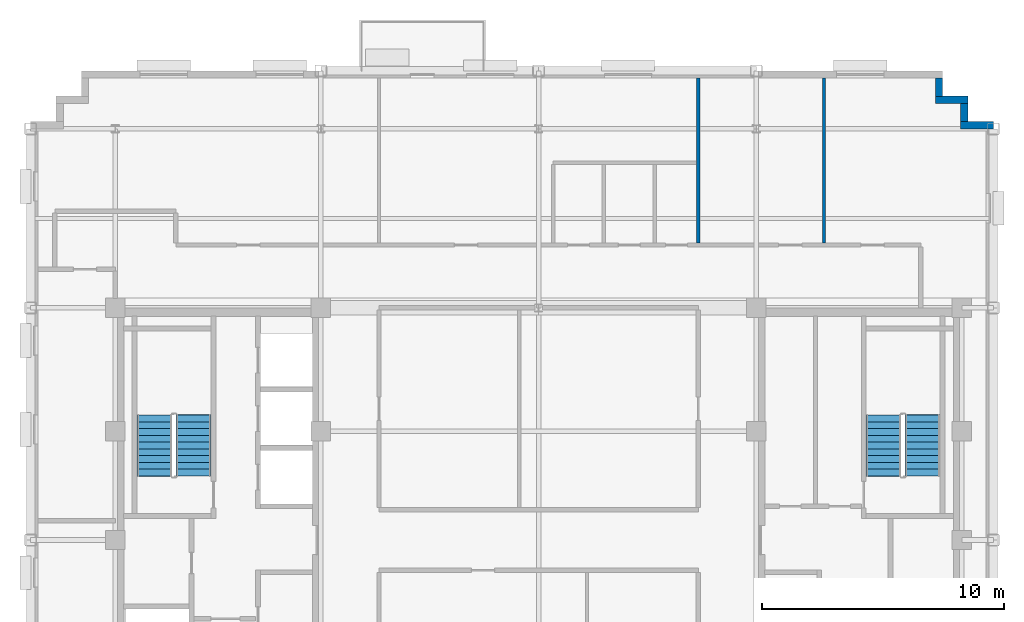
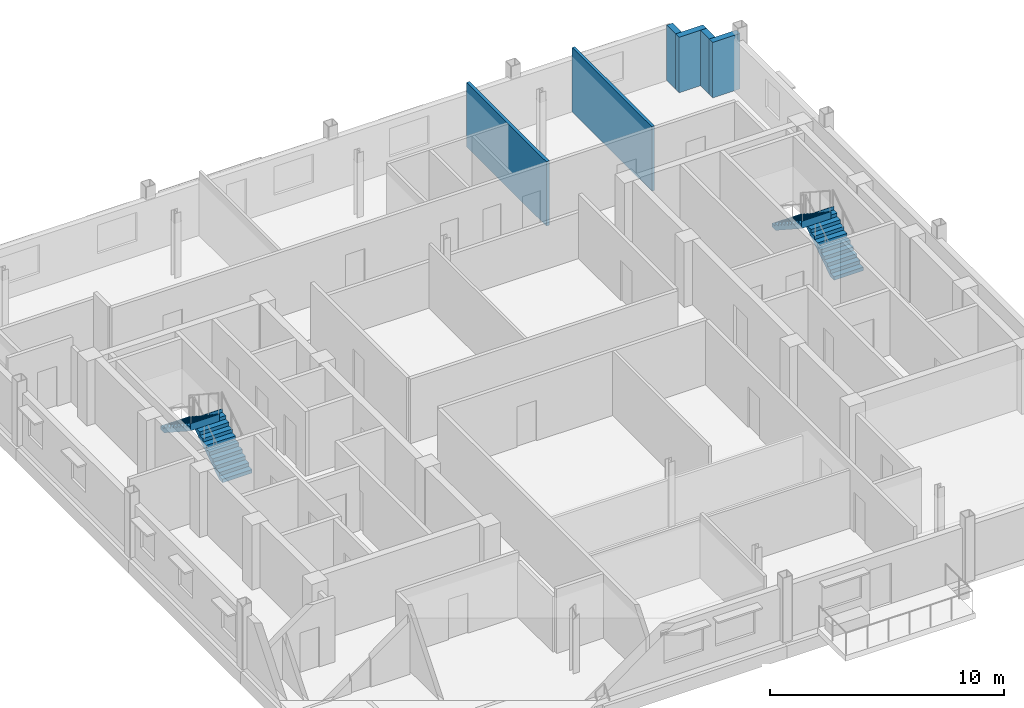
# One storey, part 9 of 13: 6 walls, 4 stair flights, 2 elements without a shape of their own.
"""IFC4 building model written with IfcOpenShell, lengths in metres."""

from ifc_helpers import new_model, si_unit, direction, frame, frame_2d, origin, place, context, subcontext, project, spatial, polyline, rectangle, outline, extrude, material, layer, layer_set, type_object, element, aggregate, save


model = new_model("IFC4")

# Units and contexts
model_context = context("Model", 3, precision=1e-05, world=origin(), true_north=direction((0.0, 1.0)))
body_context = subcontext(model_context, "Body", "Model", "MODEL_VIEW")
ifc_project = project(units=[si_unit("LENGTHUNIT", "METRE"), si_unit("AREAUNIT", "SQUARE_METRE"), si_unit("VOLUMEUNIT", "CUBIC_METRE"), si_unit("PLANEANGLEUNIT", "RADIAN"), si_unit("MASSUNIT", "GRAM", prefix="KILO")], contexts=[model_context])

# Site, building, storey
site_placement = place(None, origin())
site = spatial("IfcSite", under=ifc_project, at=site_placement, CompositionType="ELEMENT")
building_placement = place(site_placement, origin())
building = spatial("IfcBuilding", under=site, at=building_placement, Name="Nuvemarco Arch Tower", CompositionType="ELEMENT")
storey_placement = place(building_placement, frame((0.0, 0.0, 279.85009765625)))
storey = spatial("IfcBuildingStorey", under=building, at=storey_placement, Name="L74", CompositionType="ELEMENT", Elevation=279.85009765625)

# Walls
ifc_material_1 = material(Name="Precast concrete C45/55", Category="concrete")
ifc_layer_1 = layer(ifc_material_1, 0.300048828125, Name="EW-HIGH-300")
ifc_layer_set_1 = layer_set([ifc_layer_1], Name="Precast concrete C45/55")
wall_type_1 = type_object("IfcWallType", Name="EW-HIGH-300", PredefinedType="STANDARD", material=ifc_layer_set_1)
wall_1_placement = place(storey_placement, frame((17.449951171875, 17.14990234375, 0.0), z_axis=(0.0, 0.0, 1.0), x_axis=(1.0, 0.0, 0.0)))
element("IfcWall", 1, at=wall_1_placement, inside=storey, type_object=wall_type_1, Name="L74 exterior precast facade wall 7", PredefinedType="STANDARD", context=body_context, shape_type="SweptSolid", body=[
    extrude(rectangle(XDim=1.35009765625, YDim=0.300048828125, at=frame_2d((0.675048828125, 0.0))), origin(), (0.0, 0.0, 1.0), 2.891845703125),
])
wall_2_placement = place(storey_placement, frame((17.60009765625, 17.2958984375, 0.0), z_axis=(0.0, 0.0, 1.0), x_axis=(0.0, 1.0, 0.0)))
element("IfcWall", 2, at=wall_2_placement, inside=storey, type_object=wall_type_1, Name="L74 exterior precast facade wall 8", PredefinedType="STANDARD", context=body_context, shape_type="SweptSolid", body=[
    extrude(rectangle(XDim=0.758056640625, YDim=0.300048828125, at=frame_2d((0.37890625, 0.0))), origin(), (0.0, 0.0, 1.0), 2.891845703125),
])
wall_3_placement = place(storey_placement, frame((16.39990234375, 18.199951171875, 0.0), z_axis=(0.0, 0.0, 1.0), x_axis=(1.0, 0.0, 0.0)))
element("IfcWall", 3, at=wall_3_placement, inside=storey, type_object=wall_type_1, Name="L74 exterior precast facade wall 9", PredefinedType="STANDARD", context=body_context, shape_type="SweptSolid", body=[
    extrude(rectangle(XDim=1.35009765625, YDim=0.300048828125, at=frame_2d((0.675048828125, 0.0))), origin(), (0.0, 0.0, 1.0), 2.891845703125),
])
wall_4_placement = place(storey_placement, frame((16.550048828125, 18.345947265625, 0.0), z_axis=(0.0, 0.0, 1.0), x_axis=(0.0, 1.0, 0.0)))
element("IfcWall", 4, at=wall_4_placement, inside=storey, type_object=wall_type_1, Name="L74 exterior precast facade wall 10", PredefinedType="STANDARD", context=body_context, shape_type="SweptSolid", body=[
    extrude(rectangle(XDim=0.758056640625, YDim=0.300048828125, at=frame_2d((0.37890625, 0.0))), origin(), (0.0, 0.0, 1.0), 2.891845703125),
])
ifc_material_2 = material(Name="Gypsum plasterboard partition")
ifc_layer_2 = layer(ifc_material_2, 0.139892578125, Name="WL-ROOM-140")
ifc_layer_set_2 = layer_set([ifc_layer_2], Name="Gypsum plasterboard partition")
wall_type_2 = type_object("IfcWallType", Name="WL-ROOM-140", PredefinedType="PARTITIONING", material=ifc_layer_set_2)
wall_5_placement = place(storey_placement, frame((11.800048828125, 12.285888671875, 0.0), z_axis=(0.0, 0.0, 1.0), x_axis=(0.0, 1.0, 0.0)))
element("IfcWall", 5, at=wall_5_placement, inside=storey, type_object=wall_type_2, Name="L74 interior wall IW-L74-038", PredefinedType="PARTITIONING", context=body_context, shape_type="SweptSolid", body=[
    extrude(rectangle(XDim=6.814208984375, YDim=0.139892578125, at=frame_2d((3.4072265625, 0.0))), origin(), (0.0, 0.0, 1.0), 3.35986328125),
])
ifc_material_3 = material(Name="Moisture-resistant gypsum partition")
ifc_layer_3 = layer(ifc_material_3, 0.14990234375, Name="WL-WET-150")
ifc_layer_set_3 = layer_set([ifc_layer_3], Name="Moisture-resistant gypsum partition")
wall_type_3 = type_object("IfcWallType", Name="WL-WET-150", PredefinedType="PARTITIONING", material=ifc_layer_set_3)
wall_6_placement = place(storey_placement, frame((6.60009765625, 12.285888671875, 0.0), z_axis=(0.0, 0.0, 1.0), x_axis=(0.0, 1.0, 0.0)))
element("IfcWall", 6, at=wall_6_placement, inside=storey, type_object=wall_type_3, Name="L74 interior wall IW-L74-036", PredefinedType="PARTITIONING", context=body_context, shape_type="SweptSolid", body=[
    extrude(rectangle(XDim=6.814208984375, YDim=0.14990234375, at=frame_2d((3.4072265625, 0.0))), origin(), (0.0, 0.0, 1.0), 3.35986328125),
])

# Stair, stair flights
stair_type = type_object("IfcStairType", Name="ST-CORE-20R", PredefinedType="HALF_TURN_STAIR", material=ifc_material_1)
stair_1_placement = place(storey_placement, origin())
stair_1 = element("IfcStair", 7, at=stair_1_placement, inside=storey, type_object=stair_type, Name="L74 Protected Exit Stair ST-1", PredefinedType="HALF_TURN_STAIR")
stair_flight_type = type_object("IfcStairFlightType", Name="SF-CORE-20R", PredefinedType="STRAIGHT", material=ifc_material_1)
stair_flight_1_placement = place(storey_placement, frame((-14.264892578125, 2.64990234375, 0.0), z_axis=(0.0, 0.0, 1.0), x_axis=(0.0, 1.0, 0.0)))
stair_flight_1 = element("IfcStairFlight", 8, at=stair_flight_1_placement, type_object=stair_flight_type, Name="ST-20R flight 1", NumberOfRisers=10, NumberOfTreads=9, PredefinedType="STRAIGHT", RiserHeight=0.1825, TreadLength=0.28, context=body_context, shape_type="SweptSolid", body=[
    extrude(outline(polyline([(0.0, 0.0), (0.0, 0.1826171875), (0.280029296875, 0.1826171875), (0.280029296875, 0.364990234375), (0.56005859375, 0.364990234375), (0.56005859375, 0.547607421875), (0.840087890625, 0.547607421875), (0.840087890625, 0.72998046875), (1.1201171875, 0.72998046875), (1.1201171875, 0.91259765625), (1.39990234375, 0.91259765625), (1.39990234375, 1.094970703125), (1.679931640625, 1.094970703125), (1.679931640625, 1.277587890625), (1.9599609375, 1.277587890625), (1.9599609375, 1.4599609375), (2.239990234375, 1.4599609375), (2.239990234375, 1.642578125), (2.52001953125, 1.642578125), (2.52001953125, 1.824951171875), (2.5400390625, 1.824951171875), (2.5400390625, 1.45166015625), (0.312744140625, 0.0), (0.0, 0.0)])), frame((0.0, 0.72509765625, 0.0), z_axis=(0.0, -1.0, 0.0), x_axis=(1.0, 0.0, 0.0)), (0.0, 0.0, 1.0), 1.449951171875),
])
stair_flight_2_placement = place(storey_placement, frame((-15.875, 5.169921875, 1.824951171875), z_axis=(0.0, 0.0, 1.0), x_axis=(0.0, -1.0, 0.0)))
stair_flight_2 = element("IfcStairFlight", 9, at=stair_flight_2_placement, type_object=stair_flight_type, Name="ST-20R flight 2", NumberOfRisers=10, NumberOfTreads=9, PredefinedType="STRAIGHT", RiserHeight=0.1825, TreadLength=0.28, context=body_context, shape_type="SweptSolid", body=[
    extrude(outline(polyline([(0.0, 0.0), (0.0, 0.1826171875), (0.280029296875, 0.1826171875), (0.280029296875, 0.364990234375), (0.56005859375, 0.364990234375), (0.56005859375, 0.547607421875), (0.840087890625, 0.547607421875), (0.840087890625, 0.72998046875), (1.1201171875, 0.72998046875), (1.1201171875, 0.91259765625), (1.39990234375, 0.91259765625), (1.39990234375, 1.094970703125), (1.679931640625, 1.094970703125), (1.679931640625, 1.277587890625), (1.9599609375, 1.277587890625), (1.9599609375, 1.4599609375), (2.239990234375, 1.4599609375), (2.239990234375, 1.642578125), (2.52001953125, 1.642578125), (2.52001953125, 1.824951171875), (2.5400390625, 1.824951171875), (2.5400390625, 1.45166015625), (0.312744140625, 0.0), (0.0, 0.0)])), frame((0.0, 0.72509765625, 0.0), z_axis=(0.0, -1.0, 0.0), x_axis=(1.0, 0.0, 0.0)), (0.0, 0.0, 1.0), 1.449951171875),
])
aggregate(stair_1, [stair_flight_1, stair_flight_2])

stair_2_placement = place(storey_placement, origin())
stair_2 = element("IfcStair", 10, at=stair_2_placement, inside=storey, type_object=stair_type, Name="L74 Protected Exit Stair ST-2", PredefinedType="HALF_TURN_STAIR")
stair_flight_3_placement = place(storey_placement, frame((15.875, 2.64990234375, 0.0), z_axis=(0.0, 0.0, 1.0), x_axis=(0.0, 1.0, 0.0)))
stair_flight_3 = element("IfcStairFlight", 11, at=stair_flight_3_placement, type_object=stair_flight_type, Name="ST-20R flight 1", NumberOfRisers=10, NumberOfTreads=9, PredefinedType="STRAIGHT", RiserHeight=0.1825, TreadLength=0.28, context=body_context, shape_type="SweptSolid", body=[
    extrude(outline(polyline([(0.0, 0.0), (0.0, 0.1826171875), (0.280029296875, 0.1826171875), (0.280029296875, 0.364990234375), (0.56005859375, 0.364990234375), (0.56005859375, 0.547607421875), (0.840087890625, 0.547607421875), (0.840087890625, 0.72998046875), (1.1201171875, 0.72998046875), (1.1201171875, 0.91259765625), (1.39990234375, 0.91259765625), (1.39990234375, 1.094970703125), (1.679931640625, 1.094970703125), (1.679931640625, 1.277587890625), (1.9599609375, 1.277587890625), (1.9599609375, 1.4599609375), (2.239990234375, 1.4599609375), (2.239990234375, 1.642578125), (2.52001953125, 1.642578125), (2.52001953125, 1.824951171875), (2.5400390625, 1.824951171875), (2.5400390625, 1.45166015625), (0.312744140625, 0.0), (0.0, 0.0)])), frame((0.0, 0.72509765625, 0.0), z_axis=(0.0, -1.0, 0.0), x_axis=(1.0, 0.0, 0.0)), (0.0, 0.0, 1.0), 1.449951171875),
])
stair_flight_4_placement = place(storey_placement, frame((14.264892578125, 5.169921875, 1.824951171875), z_axis=(0.0, 0.0, 1.0), x_axis=(0.0, -1.0, 0.0)))
stair_flight_4 = element("IfcStairFlight", 12, at=stair_flight_4_placement, type_object=stair_flight_type, Name="ST-20R flight 2", NumberOfRisers=10, NumberOfTreads=9, PredefinedType="STRAIGHT", RiserHeight=0.1825, TreadLength=0.28, context=body_context, shape_type="SweptSolid", body=[
    extrude(outline(polyline([(0.0, 0.0), (0.0, 0.1826171875), (0.280029296875, 0.1826171875), (0.280029296875, 0.364990234375), (0.56005859375, 0.364990234375), (0.56005859375, 0.547607421875), (0.840087890625, 0.547607421875), (0.840087890625, 0.72998046875), (1.1201171875, 0.72998046875), (1.1201171875, 0.91259765625), (1.39990234375, 0.91259765625), (1.39990234375, 1.094970703125), (1.679931640625, 1.094970703125), (1.679931640625, 1.277587890625), (1.9599609375, 1.277587890625), (1.9599609375, 1.4599609375), (2.239990234375, 1.4599609375), (2.239990234375, 1.642578125), (2.52001953125, 1.642578125), (2.52001953125, 1.824951171875), (2.5400390625, 1.824951171875), (2.5400390625, 1.45166015625), (0.312744140625, 0.0), (0.0, 0.0)])), frame((0.0, 0.72509765625, 0.0), z_axis=(0.0, -1.0, 0.0), x_axis=(1.0, 0.0, 0.0)), (0.0, 0.0, 1.0), 1.449951171875),
])
aggregate(stair_2, [stair_flight_3, stair_flight_4])

save(model, "model.ifc")
